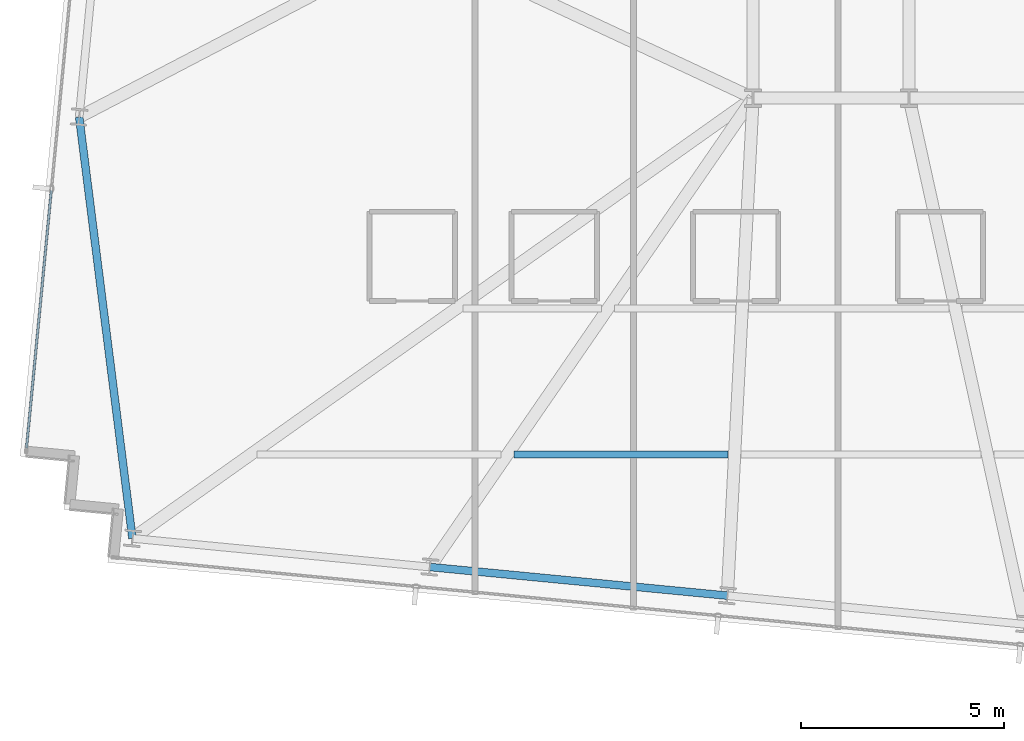
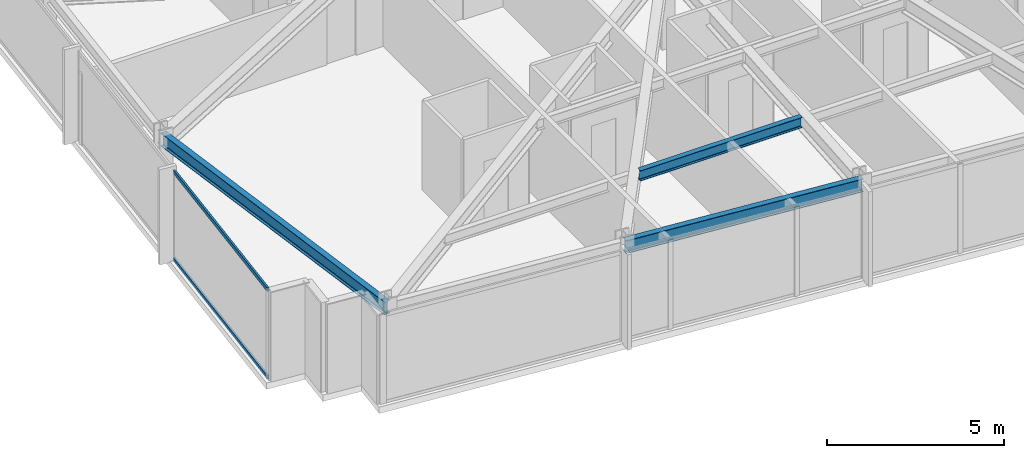
# One storey, part 3 of 37: 3 beams, 2 members, 1 element without a shape of its own.
"""IFC4 building model written with IfcOpenShell, lengths in metres."""

from ifc_helpers import new_model, si_unit, direction, frame, origin, origin_2d, place, context, subcontext, project, spatial, hollow_rectangle, i_section, extrude, material, material_profile, profile_set, type_object, element, aggregate, save


model = new_model("IFC4")

# Units and contexts
model_context = context("Model", 3, precision=1e-05, world=origin(), true_north=direction((0.0, 1.0)))
body_context = subcontext(model_context, "Body", "Model", "MODEL_VIEW")
ifc_project = project(units=[si_unit("LENGTHUNIT", "METRE"), si_unit("AREAUNIT", "SQUARE_METRE"), si_unit("VOLUMEUNIT", "CUBIC_METRE"), si_unit("PLANEANGLEUNIT", "RADIAN"), si_unit("MASSUNIT", "GRAM", prefix="KILO")], contexts=[model_context])

# Site, building, storey
site_placement = place(None, origin())
site = spatial("IfcSite", under=ifc_project, at=site_placement, CompositionType="ELEMENT")
building_placement = place(site_placement, origin())
building = spatial("IfcBuilding", under=site, at=building_placement, Name="Yelkora Congress Tower", CompositionType="ELEMENT")
storey_placement = place(building_placement, frame((0.0, 0.0, 182.0)))
storey = spatial("IfcBuildingStorey", under=building, at=storey_placement, Name="L50", CompositionType="ELEMENT", Elevation=182.0)

# Beams
ifc_material_1 = material(Name="Steel S355J2", Category="steel")
ifc_material_profile_1 = material_profile(ifc_material_1, i_section(OverallWidth=0.169921875, OverallDepth=0.360107421875, WebThickness=0.008056640625, FlangeThickness=0.0126953125, FilletRadius=0.01806640625, at=origin_2d()), Name="IPE 360")
ifc_profile_set_1 = profile_set([ifc_material_profile_1], Name="Steel S355J2")
beam_type_1 = type_object("IfcBeamType", Name="BM-JOIST-IPE360", PredefinedType="JOIST", material=ifc_profile_set_1)
beam_1_placement = place(storey_placement, frame((13.310546875, 16.421142578125, 2.89990234375), z_axis=(1.0, 0.0, 0.0), x_axis=(0.0, 1.0, 0.0)))
element("IfcBeam", 1, at=beam_1_placement, inside=storey, type_object=beam_type_1, Name="L50 Composite Floor Joist 6", PredefinedType="JOIST", context=body_context, shape_type="SweptSolid", body=[
    extrude(i_section(OverallWidth=0.169921875, OverallDepth=0.360107421875, WebThickness=0.008056640625, FlangeThickness=0.0126953125, FilletRadius=0.01806640625, at=origin_2d()), origin(), (0.0, 0.0, 1.0), 5.275146484375),
])
ifc_material_profile_2 = material_profile(ifc_material_1, i_section(OverallWidth=0.18994140625, OverallDepth=0.449951171875, WebThickness=0.009521484375, FlangeThickness=0.0146484375, FilletRadius=0.02099609375, at=origin_2d()), Name="IPE 450")
ifc_profile_set_2 = profile_set([ifc_material_profile_2], Name="Steel S355J2")
beam_type_2 = type_object("IfcBeamType", Name="BM-SPAN-IPE450", PredefinedType="SPANDREL", material=ifc_profile_set_2)
beam_2_placement = place(storey_placement, frame((2.607421875, 24.730712890625, 2.85498046875), z_axis=(0.125457133578, -0.992099041243, 0.0), x_axis=(0.992099041243, 0.125457133578, 0.0)))
element("IfcBeam", 2, at=beam_2_placement, inside=storey, type_object=beam_type_2, Name="L50 Perimeter Beam 1", PredefinedType="SPANDREL", context=body_context, shape_type="SweptSolid", body=[
    extrude(i_section(OverallWidth=0.18994140625, OverallDepth=0.449951171875, WebThickness=0.009521484375, FlangeThickness=0.0146484375, FilletRadius=0.02099609375, at=origin_2d()), origin(), (0.0, 0.0, 1.0), 10.455810546875),
])
beam_3_placement = place(storey_placement, frame((11.242431640625, 13.652099609375, 2.85498046875), z_axis=(0.995397409467, -0.095833173935, 0.0), x_axis=(0.095833173935, 0.995397409467, 0.0)))
element("IfcBeam", 3, at=beam_3_placement, inside=storey, type_object=beam_type_2, Name="L50 Perimeter Beam 3", PredefinedType="SPANDREL", context=body_context, shape_type="SweptSolid", body=[
    extrude(i_section(OverallWidth=0.18994140625, OverallDepth=0.449951171875, WebThickness=0.009521484375, FlangeThickness=0.0146484375, FilletRadius=0.02099609375, at=origin_2d()), origin(), (0.0, 0.0, 1.0), 7.357421875),
])

# Curtain wall, members
ifc_material_2 = material(Name="Anodised aluminium and insulated glass", Category="aluminium")
curtain_wall_type = type_object("IfcCurtainWallType", Name="CW-SYS-B3", PredefinedType="NOTDEFINED", material=ifc_material_2)
curtain_wall_placement = place(storey_placement, origin())
curtain_wall = element("IfcCurtainWall", 4, at=curtain_wall_placement, inside=storey, type_object=curtain_wall_type, Name="L50 Unitised Curtain Wall 5", PredefinedType="NOTDEFINED")
ifc_material_3 = material(Name="Anodised aluminium 6063-T6", Category="aluminium")
ifc_material_profile_3 = material_profile(ifc_material_3, hollow_rectangle(XDim=0.06005859375, YDim=0.1298828125, WallThickness=0.00390625, at=origin_2d()), Name="ALU 60x130x4")
ifc_profile_set_3 = profile_set([ifc_material_profile_3], Name="Anodised aluminium 6063-T6")
member_type = type_object("IfcMemberType", Name="MEM-TR-B3", PredefinedType="USERDEFINED", material=ifc_profile_set_3)
member_1_placement = place(storey_placement, frame((1.31005859375, 16.57763671875, 0.030029296875), z_axis=(0.095834923543, 0.99539724102, 0.0), x_axis=(-0.99539724102, 0.095834923543, 0.0)))
member_1 = element("IfcMember", 5, at=member_1_placement, type_object=member_type, Name="CW-B3 transom 1.1", ObjectType="TRANSOM", PredefinedType="USERDEFINED", context=body_context, shape_type="SweptSolid", body=[
    extrude(hollow_rectangle(XDim=0.06005859375, YDim=0.1298828125, WallThickness=0.00390625, at=origin_2d()), origin(), (0.0, 0.0, 1.0), 6.37890625),
])
member_2_placement = place(storey_placement, frame((1.31005859375, 16.57763671875, 3.050048828125), z_axis=(0.095834923543, 0.99539724102, 0.0), x_axis=(-0.99539724102, 0.095834923543, 0.0)))
member_2 = element("IfcMember", 6, at=member_2_placement, type_object=member_type, Name="CW-B3 transom 1.2", ObjectType="TRANSOM", PredefinedType="USERDEFINED", context=body_context, shape_type="SweptSolid", body=[
    extrude(hollow_rectangle(XDim=0.06005859375, YDim=0.1298828125, WallThickness=0.00390625, at=origin_2d()), origin(), (0.0, 0.0, 1.0), 6.37890625),
])
aggregate(curtain_wall, [member_1, member_2])

save(model, "model.ifc")
